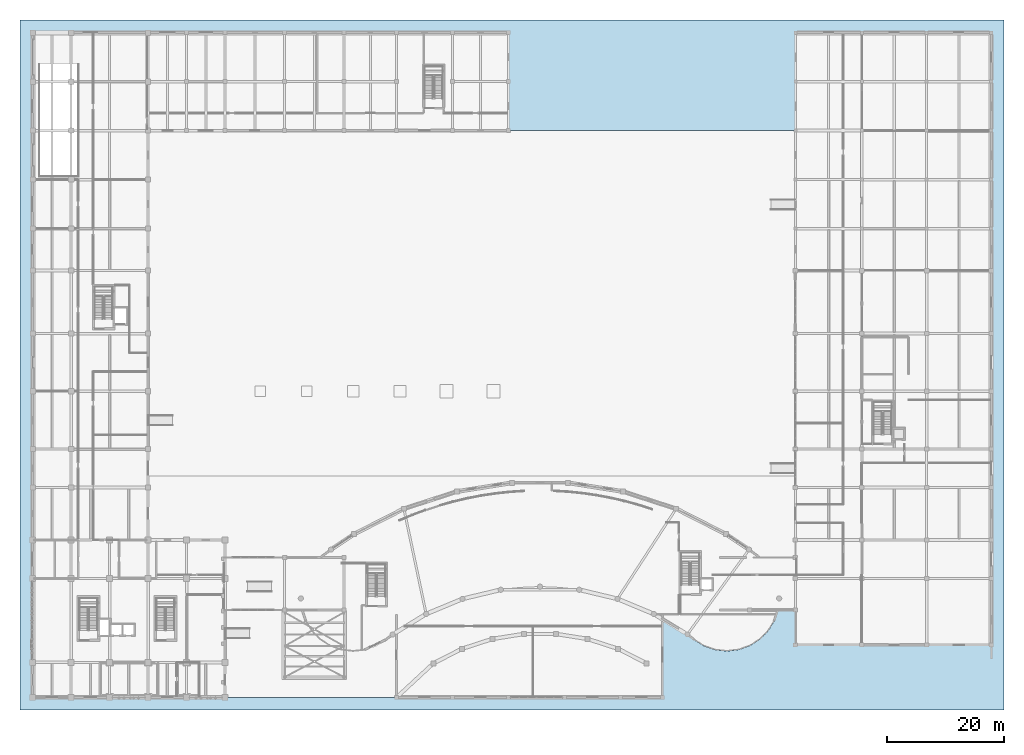
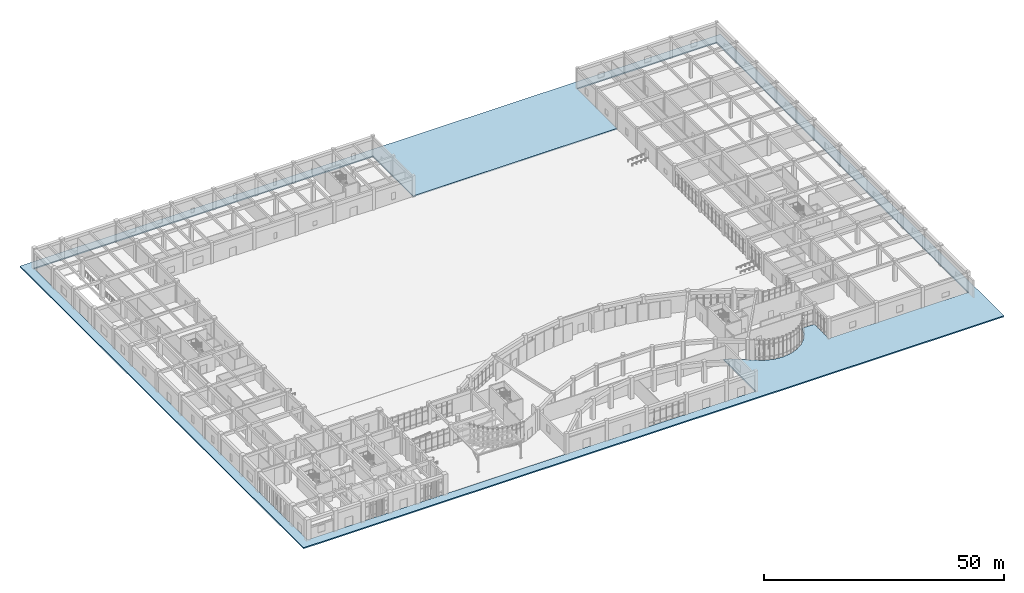
# One storey, part 42 of 70: 1 slab.
"""IFC4 building model written with IfcOpenShell, lengths in metres."""

from ifc_helpers import new_model, si_unit, direction, frame, origin, place, context, subcontext, project, spatial, polyline, outline, extrude, material, layer, layer_set, type_object, element, save


model = new_model("IFC4")

# Units and contexts
model_context = context("Model", 3, precision=1e-05, world=origin(), true_north=direction((0.0, 1.0)))
body_context = subcontext(model_context, "Body", "Model", "MODEL_VIEW")
ifc_project = project(units=[si_unit("LENGTHUNIT", "METRE"), si_unit("AREAUNIT", "SQUARE_METRE"), si_unit("VOLUMEUNIT", "CUBIC_METRE"), si_unit("PLANEANGLEUNIT", "RADIAN"), si_unit("MASSUNIT", "GRAM", prefix="KILO")], contexts=[model_context])

# Site, building, storey
site_placement = place(None, origin())
site = spatial("IfcSite", under=ifc_project, at=site_placement, CompositionType="ELEMENT")
building_placement = place(site_placement, origin())
building = spatial("IfcBuilding", under=site, at=building_placement, Name="Miralva Faculty of Natural Sciences", CompositionType="ELEMENT")
storey_placement = place(building_placement, origin())
storey = spatial("IfcBuildingStorey", under=building, at=storey_placement, Name="L00", CompositionType="ELEMENT", Elevation=0.0)

# Slab
ifc_material = material(Name="Precast concrete C40/50", Category="concrete")
ifc_layer = layer(ifc_material, 0.300048828125, Name="SL-PV01")
ifc_layer_set = layer_set([ifc_layer], Name="Precast concrete C40/50")
slab_type = type_object("IfcSlabType", Name="SL-PV01", PredefinedType="FLOOR", material=ifc_layer_set)
slab_placement = place(storey_placement, frame((0.0, 0.0, -0.300048828125)))
element("IfcSlab", 1, at=slab_placement, inside=storey, type_object=slab_type, Name="Perimeter Entrance Stone Apron", PredefinedType="FLOOR", context=body_context, shape_type="SweptSolid", body=[
    extrude(outline(polyline([(169.570068359375, 119.169921875), (169.570068359375, 0.830078125), (0.830078125, 0.830078125), (0.830078125, 119.169921875), (169.570068359375, 119.169921875)]), holes=[polyline([(111.0, 2.969970703125), (111.0166015625, 2.97509765625), (111.027587890625, 2.988525390625), (111.030029296875, 16.468505859375), (112.31982421875, 15.718505859375), (113.735107421875, 14.81982421875), (115.1142578125, 13.866943359375), (116.455322265625, 12.860595703125), (118.1748046875, 11.8037109375), (120.089599609375, 11.154296875), (122.10107421875, 10.947265625), (124.108154296875, 11.19287109375), (126.01025390625, 11.87890625), (127.7119140625, 12.97119140625), (129.1279296875, 14.41455078125), (130.187255859375, 16.136962890625), (130.80908203125, 17.969970703125), (133.77001953125, 17.969970703125), (133.77001953125, 12.0), (133.775146484375, 11.9833984375), (133.78857421875, 11.972412109375), (167.39990234375, 11.969970703125), (167.416748046875, 11.97509765625), (167.427734375, 11.988525390625), (167.429931640625, 117.0), (167.4248046875, 117.0166015625), (167.41162109375, 117.027587890625), (133.800048828125, 117.030029296875), (133.783203125, 117.02490234375), (133.772216796875, 117.011474609375), (133.77001953125, 100.22998046875), (84.6298828125, 100.22998046875), (84.6298828125, 117.0), (84.625, 117.0166015625), (84.611572265625, 117.027587890625), (3.0, 117.030029296875), (2.9833984375, 117.02490234375), (2.972412109375, 117.011474609375), (2.969970703125, 3.0), (2.97509765625, 2.9833984375), (2.988525390625, 2.972412109375), (111.0, 2.969970703125)])]), origin(), (0.0, 0.0, 1.0), 0.300048828125),
])

save(model, "model.ifc")
